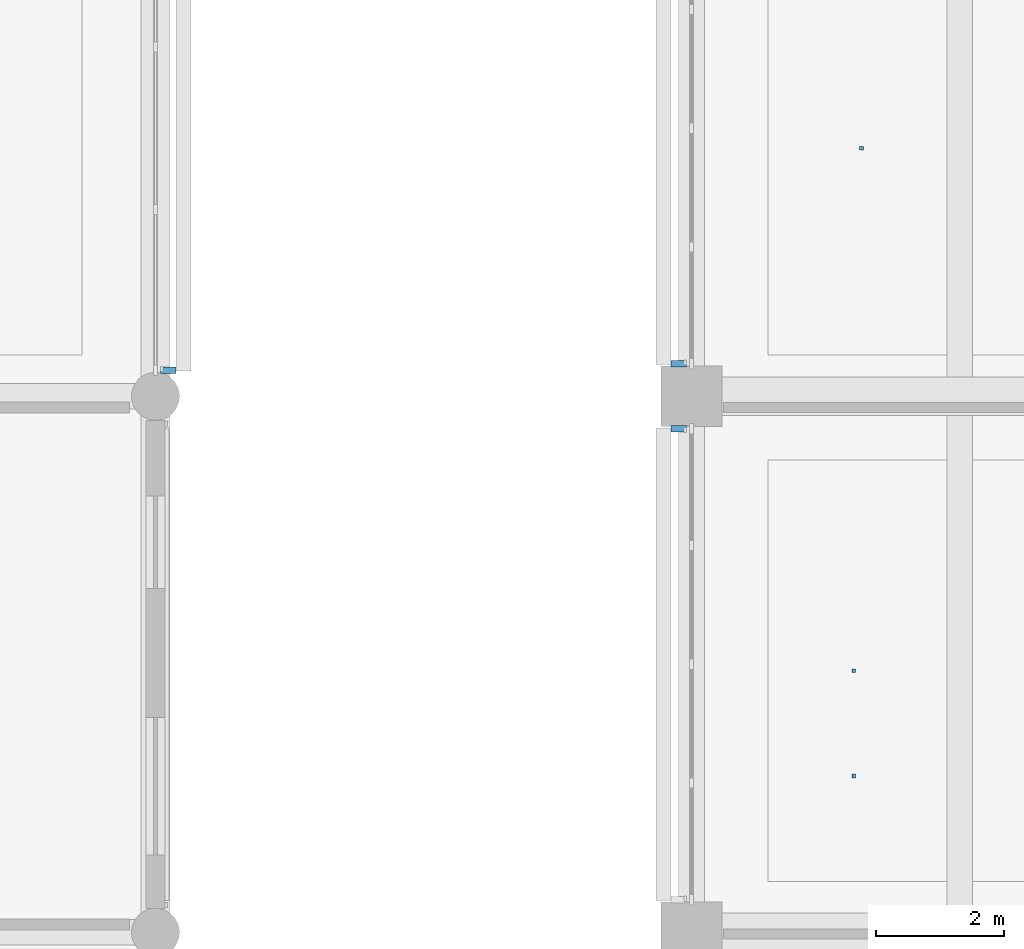
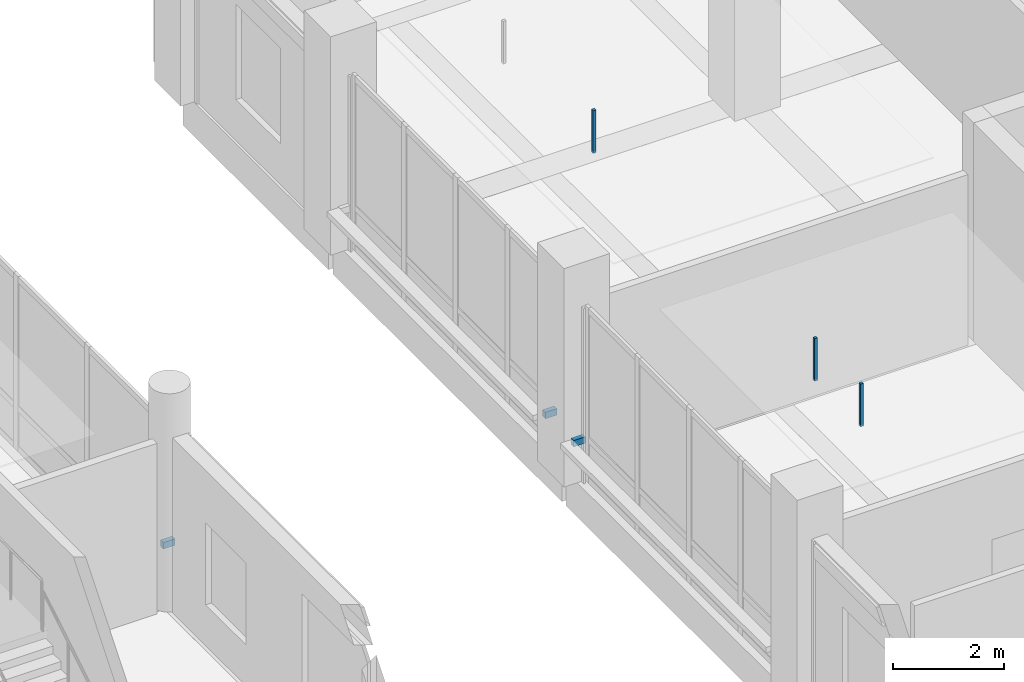
# One storey, part 66 of 122: 6 discrete accessories.
"""IFC4 building model written with IfcOpenShell, lengths in metres."""

import ifcopenshell
import ifcopenshell.guid

model = None  # the IFC model being written
_history = None  # IfcOwnerHistory: only IFC2X3 demands one
_inside = {}  # id of a spatial element -> (the spatial element, [elements in it])
_under = {}  # id of a project, library or spatial element -> (it, [spatial elements below it])
_declared = {}  # id of a project -> (the project, [libraries it declares])
_typed = {}  # id of a type object -> (the type object, [elements of that type])
_made_of = {}  # id of a material, layer set ... -> (it, [elements and type objects made of it])


def new_model(schema):
    """Start an empty IFC model of exactly this schema.

    Asked for "IFC4X3", IfcOpenShell would pick the latest addendum, in which some entities
    have other attributes; the version numbers below select the first issue.
    IFC2X3 requires an IfcOwnerHistory on every rooted entity: one is made here for all.
    """
    global model, _history
    if schema == "IFC4X3":
        model = ifcopenshell.file(schema_version=(4, 3, 0, 0))
    else:
        model = ifcopenshell.file(schema=schema)
    _inside.clear()
    _under.clear()
    _declared.clear()
    _typed.clear()
    _made_of.clear()
    _history = None
    if model.schema == "IFC2X3":
        org = make("IfcOrganization", Name="unknown")
        user = make(
            "IfcPersonAndOrganization",
            ThePerson=make("IfcPerson", FamilyName="unknown"),
            TheOrganization=org,
        )
        app = make(
            "IfcApplication",
            ApplicationDeveloper=org,
            Version="unknown",
            ApplicationFullName="unknown",
            ApplicationIdentifier="unknown",
        )
        _history = make(
            "IfcOwnerHistory",
            OwningUser=user,
            OwningApplication=app,
            ChangeAction="ADDED",
            CreationDate=0,
        )
    return model


def make(cls, **values):
    """One entity of the class cls with the attributes given. An attribute that is None is left unset."""
    return model.create_entity(
        cls, **{name: value for name, value in values.items() if value is not None}
    )


def rooted(cls, **values):
    """An entity with a GlobalId (a new one), such as an element, a storey or a relation."""
    return make(cls, GlobalId=ifcopenshell.guid.new(), OwnerHistory=_history, **values)


def si_unit(unit_type, name, prefix=None):
    """IfcSIUnit, for example si_unit("LENGTHUNIT", "METRE", prefix="MILLI")."""
    return make("IfcSIUnit", UnitType=unit_type, Prefix=prefix, Name=name)


def assignment(units):
    """IfcUnitAssignment: the units of a project."""
    return None if units is None else make("IfcUnitAssignment", Units=units)


def point(xyz):
    """IfcCartesianPoint."""
    return None if xyz is None else make("IfcCartesianPoint", Coordinates=xyz)


def direction(xyz):
    """IfcDirection."""
    return None if xyz is None else make("IfcDirection", DirectionRatios=xyz)


def frame(location, z_axis=None, x_axis=None):
    """IfcAxis2Placement3D, a coordinate frame: its origin and axes. An axis left out is left unset."""
    return make(
        "IfcAxis2Placement3D",
        Location=point(location),
        Axis=direction(z_axis),
        RefDirection=direction(x_axis),
    )


def frame_2d(location, x_axis=None):
    """IfcAxis2Placement2D, a coordinate frame in the plane: its origin and x axis."""
    return make(
        "IfcAxis2Placement2D", Location=point(location), RefDirection=direction(x_axis)
    )


def origin():
    """The frame at (0, 0, 0) with its axes left unset."""
    return frame((0.0, 0.0, 0.0))


def origin_2d():
    """The frame at (0, 0) in the plane with its x axis left unset."""
    return frame_2d((0.0, 0.0))


def place(relative_to, where):
    """IfcLocalPlacement: puts the frame where relative to a parent placement (None: the world)."""
    return make(
        "IfcLocalPlacement", PlacementRelTo=relative_to, RelativePlacement=where
    )


def context(
    kind, dimensions, precision=None, world=None, true_north=None, identifier=None
):
    """IfcGeometricRepresentationContext, for example the 3D "Model" context."""
    return make(
        "IfcGeometricRepresentationContext",
        ContextIdentifier=identifier,
        ContextType=kind,
        CoordinateSpaceDimension=dimensions,
        Precision=precision,
        WorldCoordinateSystem=world,
        TrueNorth=true_north,
    )


def subcontext(parent, identifier, kind, view, scale=None):
    """IfcGeometricRepresentationSubContext, for example "Body" below "Model"."""
    return make(
        "IfcGeometricRepresentationSubContext",
        ContextIdentifier=identifier,
        ContextType=kind,
        ParentContext=parent,
        TargetScale=scale,
        TargetView=view,
    )


def project(units=None, contexts=None):
    """IfcProject with its units and contexts."""
    return rooted(
        "IfcProject",
        Name="project",
        RepresentationContexts=contexts,
        UnitsInContext=assignment(units),
    )


def spatial(cls, under=None, at=None, **own):
    """A site, building, storey or space (cls), placed at a placement, below another one or the project."""
    s = rooted(cls, ObjectPlacement=at, **own)
    if under is not None:
        _under.setdefault(under.id(), (under, []))[1].append(s)
    return s


def profile(cls, at=None, kind="AREA", **sizes):
    """A parametric profile (cls). Its sizes go by their IFC names, for example OverallWidth=200.0."""
    return make(cls, ProfileType=kind, Position=at, **sizes)


def rectangle(**sizes):
    """IfcRectangleProfileDef."""
    return profile("IfcRectangleProfileDef", **sizes)


def extrude(swept, where, along, depth):
    """IfcExtrudedAreaSolid: the profile swept, set in the frame where, extruded along a direction by depth."""
    return make(
        "IfcExtrudedAreaSolid",
        SweptArea=swept,
        Position=where,
        ExtrudedDirection=direction(along),
        Depth=depth,
    )


def shape(context_of_items, identifier, shape_type, items):
    """IfcShapeRepresentation: the items that make up one representation, for example the "Body"."""
    return make(
        "IfcShapeRepresentation",
        ContextOfItems=context_of_items,
        RepresentationIdentifier=identifier,
        RepresentationType=shape_type,
        Items=items,
    )


def material(Name=None, Category=None):
    """IfcMaterial."""
    return make("IfcMaterial", Name=Name, Category=Category)


def made_of(thing, what):
    """Note that an element or type object is made of a material, layer set ...; save() writes the relation."""
    if what is not None:
        _made_of.setdefault(what.id(), (what, []))[1].append(thing)
    return thing


def type_object(cls, material=None, **own):
    """A type object (cls), such as IfcWallType, which elements share."""
    return made_of(rooted(cls, **own), material)


def element(
    cls,
    number,
    at=None,
    inside=None,
    cuts=None,
    type_object=None,
    material=None,
    context=None,
    identifier="Body",
    shape_type=None,
    held_by="IfcProductDefinitionShape",
    body=None,
    shapes=None,
    **own,
):
    """One element of the class cls, such as IfcWall. Its Tag is "e" and its number.

    at: its placement. inside: the storey or other place that contains it. cuts: it is an
    opening in that element (IfcRelVoidsElement). A single representation is given by context,
    identifier, shape_type and body (its items); several are given by shapes. held_by: the class
    of the entity that holds the representations. save() writes the other relations.
    """
    e = rooted(cls, Tag="e%d" % number, ObjectPlacement=at, **own)
    if body is not None:
        shapes = [shape(context, identifier, shape_type, body)]
    if shapes is not None:
        e.Representation = make(held_by, Representations=shapes)
    if inside is not None:
        _inside.setdefault(inside.id(), (inside, []))[1].append(e)
    if cuts is not None:
        rooted(
            "IfcRelVoidsElement", RelatingBuildingElement=cuts, RelatedOpeningElement=e
        )
    if type_object is not None:
        _typed.setdefault(type_object.id(), (type_object, []))[1].append(e)
    return made_of(e, material)


def aggregate(whole, parts):
    """IfcRelAggregates: a whole, such as a stair, and the parts it consists of."""
    return rooted("IfcRelAggregates", RelatingObject=whole, RelatedObjects=parts)


def save(model, path):
    """Write the relations noted so far, then the file.

    IfcRelAggregates (storeys below a building ...), IfcRelContainedInSpatialStructure (elements
    in a storey), IfcRelDefinesByType, IfcRelAssociatesMaterial and IfcRelDeclares: one each for
    every whole, place, type object, material and project.
    """
    for whole, parts in _under.values():
        aggregate(whole, parts)
    for where, things in _inside.values():
        rooted(
            "IfcRelContainedInSpatialStructure",
            RelatedElements=things,
            RelatingStructure=where,
        )
    for kind, things in _typed.values():
        rooted("IfcRelDefinesByType", RelatedObjects=things, RelatingType=kind)
    for what, things in _made_of.values():
        rooted("IfcRelAssociatesMaterial", RelatedObjects=things, RelatingMaterial=what)
    for by, libraries in _declared.values():
        rooted("IfcRelDeclares", RelatingContext=by, RelatedDefinitions=libraries)
    model.write(path)


model = new_model("IFC4")

# Units and contexts
model_context = context("Model", 3, precision=1e-05, world=origin(), true_north=direction((0.0, 1.0)))
body_context = subcontext(model_context, "Body", "Model", "MODEL_VIEW")
ifc_project = project(units=[si_unit("LENGTHUNIT", "METRE"), si_unit("AREAUNIT", "SQUARE_METRE"), si_unit("VOLUMEUNIT", "CUBIC_METRE"), si_unit("PLANEANGLEUNIT", "RADIAN"), si_unit("MASSUNIT", "GRAM", prefix="KILO")], contexts=[model_context])

# Site, building, storey
site_placement = place(None, origin())
site = spatial("IfcSite", under=ifc_project, at=site_placement, CompositionType="ELEMENT")
building_placement = place(site_placement, origin())
building = spatial("IfcBuilding", under=site, at=building_placement, Name="Telukmera Botanical Conservatory", CompositionType="ELEMENT")
storey_placement = place(building_placement, frame((0.0, 0.0, 10.199951171875)))
storey = spatial("IfcBuildingStorey", under=building, at=storey_placement, Name="L02", CompositionType="ELEMENT", Elevation=10.199951171875)

# Discrete accessories
ifc_material = material(Name="Steel S355", Category="steel")
discrete_accessory_type_1 = type_object("IfcDiscreteAccessoryType", Name="ACC-CEIL-HGR", PredefinedType="BRACKET", material=ifc_material)
for number, where, z_axis, x_axis, name in (
    (1, (52.94189453125, 28.449951171875, 3.6201171875), (0.0, 0.0, 1.0), (1.0, 0.0, 0.0), "L02 Suspended Ceiling Hanger Rod 035-1"),
    (2, (52.94189453125, 30.10009765625, 3.6201171875), (0.0, 0.0, 1.0), (1.0, 0.0, 0.0), "L02 Suspended Ceiling Hanger Rod 035-2"),
    (3, (53.064208984375, 38.28759765625, 3.6201171875), (0.0, 0.0, 1.0), (1.0, 0.0, 0.0), "L02 Suspended Ceiling Hanger Rod 045-1"),
):
    element("IfcDiscreteAccessory", number, at=place(storey_placement, frame(where, z_axis=z_axis, x_axis=x_axis)), inside=storey, type_object=discrete_accessory_type_1, Name=name, PredefinedType="BRACKET", context=body_context, shape_type="SweptSolid", body=[
        extrude(rectangle(XDim=0.06005859375, YDim=0.06005859375, at=origin_2d()), origin(), (0.0, 0.0, 1.0), 0.93505859375),
    ])
discrete_accessory_type_2 = type_object("IfcDiscreteAccessoryType", Name="Structural Steel Facade Outrigger Fin Bracket", PredefinedType="BRACKET", material=ifc_material)
for number, where, z_axis, x_axis, name in (
    (4, (42.199951171875, 34.8095703125, 0.8798828125), (0.0, 0.0, 1.0), (0.0, 1.0, 0.0), "Facade Outrigger Bracket V3:L02:E3 A"),
    (5, (50.199951171875, 33.890380859375, 0.8798828125), (0.0, 0.0, 1.0), (0.0, 1.0, 0.0), "Facade Outrigger Bracket V4:L02:W3 B"),
    (6, (50.199951171875, 34.909423828125, 0.8798828125), (0.0, 0.0, 1.0), (0.0, 1.0, 0.0), "Facade Outrigger Bracket V4:L02:W4 A"),
):
    element("IfcDiscreteAccessory", number, at=place(storey_placement, frame(where, z_axis=z_axis, x_axis=x_axis)), inside=storey, type_object=discrete_accessory_type_2, Name=name, PredefinedType="BRACKET", context=body_context, shape_type="SweptSolid", body=[
        extrude(rectangle(XDim=0.10009765625, YDim=0.239990234375, at=origin_2d()), origin(), (0.0, 0.0, 1.0), 0.139892578125),
    ])

save(model, "model.ifc")
